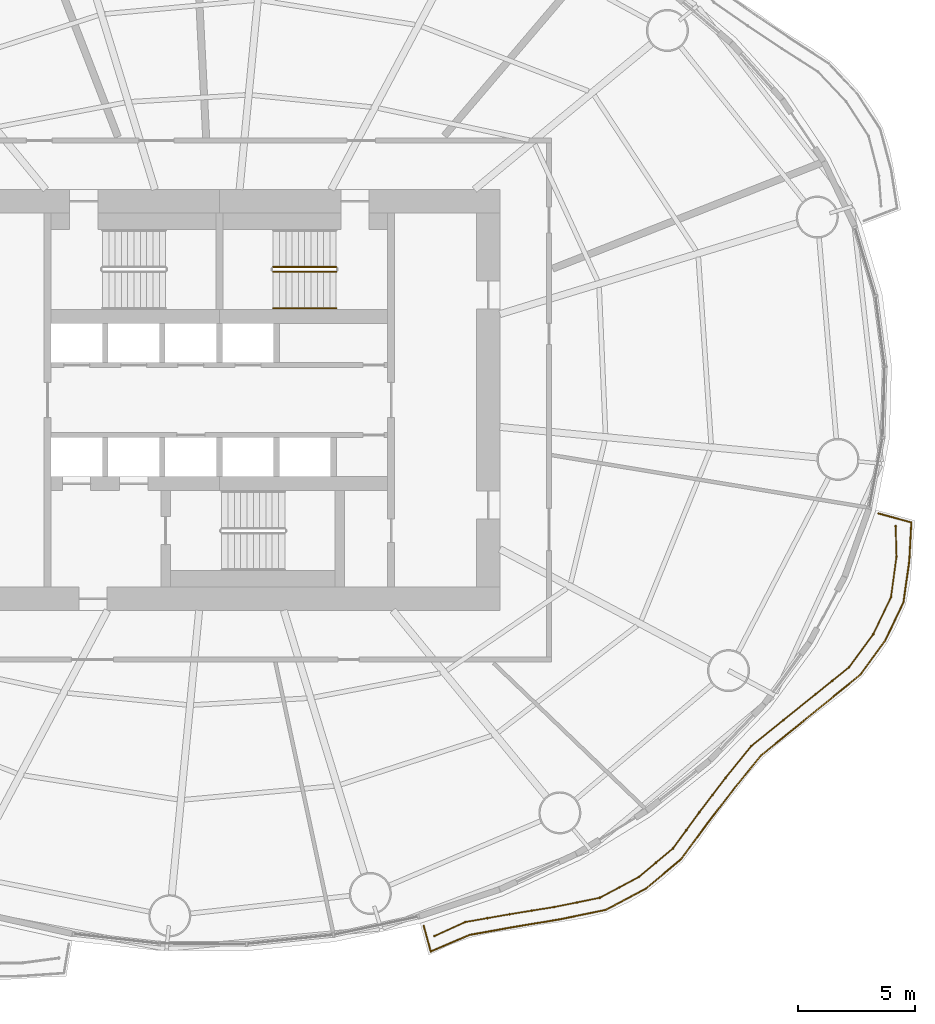
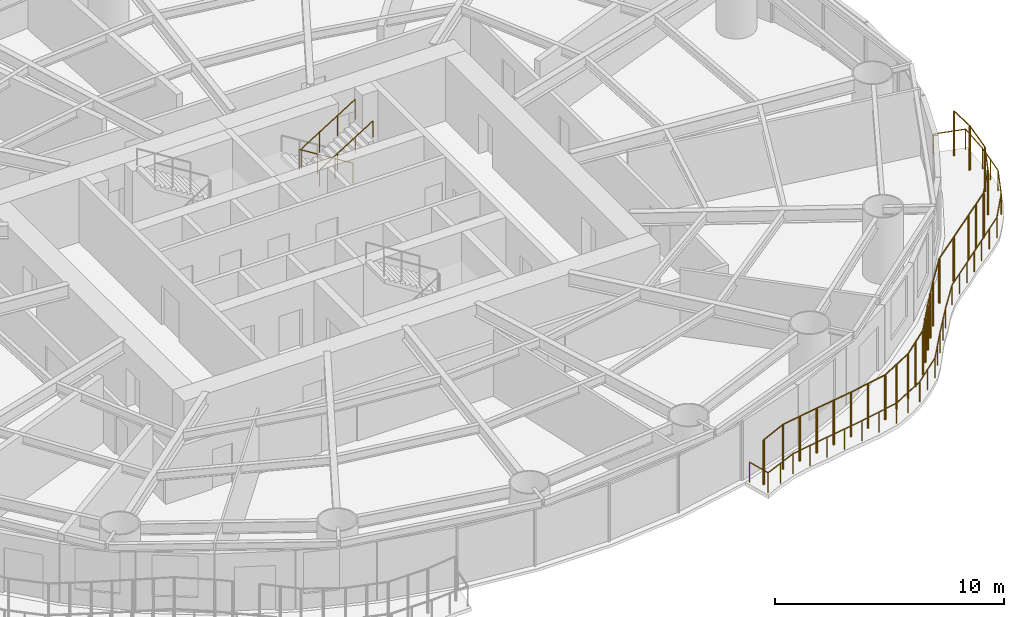
# One storey, part 14 of 16: 5 railings.
"""IFC4 building model written with IfcOpenShell, lengths in metres."""

from ifc_helpers import new_model, si_unit, direction, frame, origin, origin_2d, place, context, subcontext, project, spatial, circle, extrude, material, type_object, element, save


model = new_model("IFC4")

# Units and contexts
model_context = context("Model", 3, precision=1e-05, world=origin(), true_north=direction((0.0, 1.0)))
body_context = subcontext(model_context, "Body", "Model", "MODEL_VIEW")
ifc_project = project(units=[si_unit("LENGTHUNIT", "METRE"), si_unit("AREAUNIT", "SQUARE_METRE"), si_unit("VOLUMEUNIT", "CUBIC_METRE"), si_unit("PLANEANGLEUNIT", "RADIAN"), si_unit("MASSUNIT", "GRAM", prefix="KILO")], contexts=[model_context])

# Site, building, storey
site_placement = place(None, origin())
site = spatial("IfcSite", under=ifc_project, at=site_placement, CompositionType="ELEMENT")
building_placement = place(site_placement, origin())
building = spatial("IfcBuilding", under=site, at=building_placement, Name="Vermilion Reach Broadcast Tower", CompositionType="ELEMENT")
storey_placement = place(building_placement, frame((0.0, 0.0, 47.10009765625)))
storey = spatial("IfcBuildingStorey", under=building, at=storey_placement, Name="L08", CompositionType="ELEMENT", Elevation=47.10009765625)

# Railings
ifc_material_1 = material(Name="Terracotta baguette", Category="masonry")
railing_type_1 = type_object("IfcRailingType", Name="BAGUETTE SCREEN", PredefinedType="USERDEFINED", material=ifc_material_1)
railing_1_placement = place(storey_placement, frame((3.20166015625, -22.928466796875, 0.0)))
element("IfcRailing", 1, at=railing_1_placement, inside=storey, type_object=railing_type_1, Name="Baguette screen L08 group 4", ObjectType="BAGUETTE SCREEN", PredefinedType="USERDEFINED", context=body_context, shape_type="SweptSolid", body=[
    extrude(circle(Radius=0.030029296875, at=origin_2d()), frame((0.0, 0.0, 2.369873046875), z_axis=(0.910810646319, 0.412824377372, 0.0), x_axis=(-0.412824377372, 0.910810646319, 0.0)), (0.0, 0.0, 1.0), 1.44775390625),
    extrude(circle(Radius=0.030029296875, at=origin_2d()), frame((1.318603515625, 0.59765625, 2.369873046875), z_axis=(0.984759213247, 0.173923235725, 0.0), x_axis=(-0.173923235725, 0.984759213247, 0.0)), (0.0, 0.0, 1.0), 1.9189453125),
    extrude(circle(Radius=0.030029296875, at=origin_2d()), frame((3.208251953125, 0.931396484375, 2.369873046875), z_axis=(0.987204106288, 0.159461758825, 0.0), x_axis=(-0.159461758825, 0.987204106288, 0.0)), (0.0, 0.0, 1.0), 1.94140625),
    extrude(circle(Radius=0.030029296875, at=origin_2d()), frame((5.124755859375, 1.240966796875, 2.369873046875), z_axis=(0.980128191184, 0.198365140201, 0.0), x_axis=(-0.198365140201, 0.980128191184, 0.0)), (0.0, 0.0, 1.0), 1.982666015625),
    extrude(circle(Radius=0.030029296875, at=origin_2d()), frame((7.068115234375, 1.63427734375, 2.369873046875), z_axis=(0.882751928527, 0.469839369021, 0.0), x_axis=(-0.469839369021, 0.882751928527, 0.0)), (0.0, 0.0, 1.0), 1.8955078125),
    extrude(circle(Radius=0.030029296875, at=origin_2d()), frame((8.741455078125, 2.52490234375, 2.369873046875), z_axis=(0.766455763821, 0.642297098005, 0.0), x_axis=(-0.642297098005, 0.766455763821, 0.0)), (0.0, 0.0, 1.0), 1.907470703125),
    extrude(circle(Radius=0.030029296875, at=origin_2d()), frame((10.203369140625, 3.75, 2.369873046875), z_axis=(0.589165214753, 0.808012592553, 0.0), x_axis=(-0.808012592553, 0.589165214753, 0.0)), (0.0, 0.0, 1.0), 1.913330078125),
    extrude(circle(Radius=0.030029296875, at=origin_2d()), frame((11.33056640625, 5.2958984375, 2.369873046875), z_axis=(0.605385181842, 0.795932648913, 0.0), x_axis=(-0.795932648913, 0.605385181842, 0.0)), (0.0, 0.0, 1.0), 1.844970703125),
    extrude(circle(Radius=0.030029296875, at=origin_2d()), frame((12.447509765625, 6.764404296875, 2.369873046875), z_axis=(0.629442781825, 0.777046835402, 0.0), x_axis=(-0.777046835402, 0.629442781825, 0.0)), (0.0, 0.0, 1.0), 1.751708984375),
    extrude(circle(Radius=0.030029296875, at=origin_2d()), frame((13.550048828125, 8.12548828125, 2.369873046875), z_axis=(0.777985398243, 0.628282357002, 0.0), x_axis=(-0.628282357002, 0.777985398243, 0.0)), (0.0, 0.0, 1.0), 1.7646484375),
    extrude(circle(Radius=0.030029296875, at=origin_2d()), frame((14.9228515625, 9.234130859375, 2.369873046875), z_axis=(0.779194378401, 0.626782355103, 0.0), x_axis=(-0.626782355103, 0.779194378401, 0.0)), (0.0, 0.0, 1.0), 1.766845703125),
    extrude(circle(Radius=0.030029296875, at=origin_2d()), frame((16.299560546875, 10.341552734375, 2.369873046875), z_axis=(0.779116125377, 0.626879624152, 0.0), x_axis=(-0.626879624152, 0.779116125377, 0.0)), (0.0, 0.0, 1.0), 1.837890625),
    extrude(circle(Radius=0.030029296875, at=origin_2d()), frame((17.7314453125, 11.49365234375, 2.369873046875), z_axis=(0.590983272289, 0.806683811586, 0.0), x_axis=(-0.806683811586, 0.590983272289, 0.0)), (0.0, 0.0, 1.0), 1.753173828125),
    extrude(circle(Radius=0.030029296875, at=origin_2d()), frame((18.767578125, 12.907958984375, 2.369873046875), z_axis=(0.432247379927, 0.901755067935, 0.0), x_axis=(-0.901755067935, 0.432247379927, 0.0)), (0.0, 0.0, 1.0), 1.756103515625),
    extrude(circle(Radius=0.030029296875, at=origin_2d()), frame((19.526611328125, 14.491455078125, 2.369873046875), z_axis=(0.134536977448, 0.990908573835, 0.0), x_axis=(-0.990908573835, 0.134536977448, 0.0)), (0.0, 0.0, 1.0), 1.75830078125),
    extrude(circle(Radius=0.030029296875, at=origin_2d()), frame((19.76318359375, 16.23388671875, 2.369873046875), z_axis=(-0.028554410906, 0.999592239675, 0.0), x_axis=(-0.999592239675, -0.028554410906, 0.0)), (0.0, 0.0, 1.0), 1.299560546875),
    extrude(circle(Radius=0.050048828125, at=origin_2d()), origin(), (0.0, 0.0, 1.0), 2.33984375),
    extrude(circle(Radius=0.050048828125, at=origin_2d()), frame((1.318603515625, 0.59765625, 0.0)), (0.0, 0.0, 1.0), 2.33984375),
    extrude(circle(Radius=0.050048828125, at=origin_2d()), frame((2.263427734375, 0.7646484375, 0.0)), (0.0, 0.0, 1.0), 2.33984375),
    extrude(circle(Radius=0.050048828125, at=origin_2d()), frame((3.208251953125, 0.931396484375, 0.0)), (0.0, 0.0, 1.0), 2.33984375),
    extrude(circle(Radius=0.050048828125, at=origin_2d()), frame((4.16650390625, 1.086181640625, 0.0)), (0.0, 0.0, 1.0), 2.33984375),
    extrude(circle(Radius=0.050048828125, at=origin_2d()), frame((5.124755859375, 1.240966796875, 0.0)), (0.0, 0.0, 1.0), 2.33984375),
    extrude(circle(Radius=0.050048828125, at=origin_2d()), frame((6.096435546875, 1.4375, 0.0)), (0.0, 0.0, 1.0), 2.33984375),
    extrude(circle(Radius=0.050048828125, at=origin_2d()), frame((7.068115234375, 1.63427734375, 0.0)), (0.0, 0.0, 1.0), 2.33984375),
    extrude(circle(Radius=0.050048828125, at=origin_2d()), frame((7.90478515625, 2.07958984375, 0.0)), (0.0, 0.0, 1.0), 2.33984375),
    extrude(circle(Radius=0.050048828125, at=origin_2d()), frame((8.741455078125, 2.52490234375, 0.0)), (0.0, 0.0, 1.0), 2.33984375),
    extrude(circle(Radius=0.050048828125, at=origin_2d()), frame((9.472412109375, 3.137451171875, 0.0)), (0.0, 0.0, 1.0), 2.33984375),
    extrude(circle(Radius=0.050048828125, at=origin_2d()), frame((10.203369140625, 3.75, 0.0)), (0.0, 0.0, 1.0), 2.33984375),
    extrude(circle(Radius=0.050048828125, at=origin_2d()), frame((10.76708984375, 4.52294921875, 0.0)), (0.0, 0.0, 1.0), 2.33984375),
    extrude(circle(Radius=0.050048828125, at=origin_2d()), frame((11.33056640625, 5.2958984375, 0.0)), (0.0, 0.0, 1.0), 2.33984375),
    extrude(circle(Radius=0.050048828125, at=origin_2d()), frame((11.88916015625, 6.0302734375, 0.0)), (0.0, 0.0, 1.0), 2.33984375),
    extrude(circle(Radius=0.050048828125, at=origin_2d()), frame((12.447509765625, 6.764404296875, 0.0)), (0.0, 0.0, 1.0), 2.33984375),
    extrude(circle(Radius=0.050048828125, at=origin_2d()), frame((13.550048828125, 8.12548828125, 0.0)), (0.0, 0.0, 1.0), 2.33984375),
    extrude(circle(Radius=0.050048828125, at=origin_2d()), frame((14.9228515625, 9.234130859375, 0.0)), (0.0, 0.0, 1.0), 2.33984375),
    extrude(circle(Radius=0.050048828125, at=origin_2d()), frame((16.299560546875, 10.341552734375, 0.0)), (0.0, 0.0, 1.0), 2.33984375),
    extrude(circle(Radius=0.050048828125, at=origin_2d()), frame((17.015625, 10.91748046875, 0.0)), (0.0, 0.0, 1.0), 2.33984375),
    extrude(circle(Radius=0.050048828125, at=origin_2d()), frame((17.7314453125, 11.49365234375, 0.0)), (0.0, 0.0, 1.0), 2.33984375),
    extrude(circle(Radius=0.050048828125, at=origin_2d()), frame((18.767578125, 12.907958984375, 0.0)), (0.0, 0.0, 1.0), 2.33984375),
    extrude(circle(Radius=0.050048828125, at=origin_2d()), frame((19.526611328125, 14.491455078125, 0.0)), (0.0, 0.0, 1.0), 2.33984375),
    extrude(circle(Radius=0.050048828125, at=origin_2d()), frame((19.76318359375, 16.23388671875, 0.0)), (0.0, 0.0, 1.0), 2.33984375),
    extrude(circle(Radius=0.050048828125, at=origin_2d()), frame((19.72607421875, 17.532958984375, 0.0)), (0.0, 0.0, 1.0), 2.33984375),
])
ifc_material_2 = material(Name="Stainless steel 316 balustrade", Category="steel")
railing_type_2 = type_object("IfcRailingType", Name="Balcony guard 1100", PredefinedType="BALUSTRADE", material=ifc_material_2)
railing_2_placement = place(storey_placement, frame((2.74169921875, -22.495361328125, 0.0)))
element("IfcRailing", 2, at=railing_2_placement, inside=storey, type_object=railing_type_2, Name="Balcony guard L08 group 4", PredefinedType="BALUSTRADE", context=body_context, shape_type="SweptSolid", body=[
    extrude(circle(Radius=0.02490234375, at=origin_2d()), frame((0.0, 0.0, 1.0751953125), z_axis=(0.26364419253, -0.964619997587, 0.0), x_axis=(0.964619997587, 0.26364419253, 0.0)), (0.0, 0.0, 1.0), 1.13720703125),
    extrude(circle(Radius=0.02490234375, at=origin_2d()), frame((0.2998046875, -1.096923828125, 1.0751953125), z_axis=(0.919375377747, 0.393381385925, 0.0), x_axis=(-0.393381385925, 0.919375377747, 0.0)), (0.0, 0.0, 1.0), 1.807861328125),
    extrude(circle(Radius=0.02490234375, at=origin_2d()), frame((1.9619140625, -0.3857421875, 1.0751953125), z_axis=(0.984242179896, 0.176825708861, 0.0), x_axis=(-0.176825708861, 0.984242179896, 0.0)), (0.0, 0.0, 1.0), 1.950927734375),
    extrude(circle(Radius=0.02490234375, at=origin_2d()), frame((3.882080078125, -0.040771484375, 1.0751953125), z_axis=(0.986553957091, 0.163435888803, 0.0), x_axis=(-0.163435888803, 0.986553957091, 0.0)), (0.0, 0.0, 1.0), 1.973388671875),
    extrude(circle(Radius=0.02490234375, at=origin_2d()), frame((5.828857421875, 0.28173828125, 1.0751953125), z_axis=(0.979249644491, 0.202657676303, 0.0), x_axis=(-0.202657676303, 0.979249644491, 0.0)), (0.0, 0.0, 1.0), 2.015380859375),
    extrude(circle(Radius=0.02490234375, at=origin_2d()), frame((7.802490234375, 0.690185546875, 1.0751953125), z_axis=(0.882482511602, 0.470345210156, 0.0), x_axis=(-0.470345210156, 0.882482511602, 0.0)), (0.0, 0.0, 1.0), 1.929443359375),
    extrude(circle(Radius=0.02490234375, at=origin_2d()), frame((9.505126953125, 1.59765625, 1.0751953125), z_axis=(0.767778125774, 0.640715810312, 0.0), x_axis=(-0.640715810312, 0.767778125774, 0.0)), (0.0, 0.0, 1.0), 1.942626953125),
    extrude(circle(Radius=0.02490234375, at=origin_2d()), frame((10.99658203125, 2.84228515625, 1.0751953125), z_axis=(0.593541130077, 0.804803657364, 0.0), x_axis=(-0.804803657364, 0.593541130077, 0.0)), (0.0, 0.0, 1.0), 1.947265625),
    extrude(circle(Radius=0.02490234375, at=origin_2d()), frame((12.15234375, 4.409423828125, 1.0751953125), z_axis=(0.608725719683, 0.793380739744, 0.0), x_axis=(-0.793380739744, 0.608725719683, 0.0)), (0.0, 0.0, 1.0), 1.88134765625),
    extrude(circle(Radius=0.02490234375, at=origin_2d()), frame((13.297607421875, 5.902099609375, 1.0751953125), z_axis=(0.631347775633, 0.775499829918, 0.0), x_axis=(-0.775499829918, 0.631347775633, 0.0)), (0.0, 0.0, 1.0), 1.78857421875),
    extrude(circle(Radius=0.02490234375, at=origin_2d()), frame((14.4267578125, 7.2890625, 1.0751953125), z_axis=(0.775877902131, 0.630883096132, 0.0), x_axis=(-0.630883096132, 0.775877902131, 0.0)), (0.0, 0.0, 1.0), 1.80322265625),
    extrude(circle(Radius=0.02490234375, at=origin_2d()), frame((15.825927734375, 8.4267578125, 1.0751953125), z_axis=(0.776056078648, 0.630663906367, 0.0), x_axis=(-0.630663906367, 0.776056078648, 0.0)), (0.0, 0.0, 1.0), 1.80517578125),
    extrude(circle(Radius=0.02490234375, at=origin_2d()), frame((17.226806640625, 9.565185546875, 1.0751953125), z_axis=(0.775126470013, 0.631806105926, 0.0), x_axis=(-0.631806105926, 0.775126470013, 0.0)), (0.0, 0.0, 1.0), 1.877197265625),
    extrude(circle(Radius=0.02490234375, at=origin_2d()), frame((18.681884765625, 10.751220703125, 1.0751953125), z_axis=(0.589037045445, 0.808106032086, 0.0), x_axis=(-0.808106032086, 0.589037045445, 0.0)), (0.0, 0.0, 1.0), 1.794189453125),
    extrude(circle(Radius=0.02490234375, at=origin_2d()), frame((19.73876953125, 12.201171875, 1.0751953125), z_axis=(0.432444314365, 0.90166064291, 0.0), x_axis=(-0.90166064291, 0.432444314365, 0.0)), (0.0, 0.0, 1.0), 1.79931640625),
    extrude(circle(Radius=0.02490234375, at=origin_2d()), frame((20.516845703125, 13.823486328125, 1.0751953125), z_axis=(0.140358079177, 0.990100807802, 0.0), x_axis=(-0.990100807802, 0.140358079177, 0.0)), (0.0, 0.0, 1.0), 1.80029296875),
    extrude(circle(Radius=0.02490234375, at=origin_2d()), frame((20.76953125, 15.60595703125, 1.0751953125), z_axis=(0.052512380684, 0.998620273114, 0.0), x_axis=(-0.998620273114, 0.052512380684, 0.0)), (0.0, 0.0, 1.0), 1.655029296875),
    extrude(circle(Radius=0.02490234375, at=origin_2d()), frame((20.8564453125, 17.2587890625, 1.0751953125), z_axis=(-0.965064353591, 0.262012964238, 0.0), x_axis=(-0.262012964238, -0.965064353591, 0.0)), (0.0, 0.0, 1.0), 1.459228515625),
    extrude(circle(Radius=0.02490234375, at=origin_2d()), origin(), (0.0, 0.0, 1.0), 1.050048828125),
    extrude(circle(Radius=0.02490234375, at=origin_2d()), frame((0.2998046875, -1.096923828125, 0.0)), (0.0, 0.0, 1.0), 1.050048828125),
    extrude(circle(Radius=0.02490234375, at=origin_2d()), frame((1.130859375, -0.7412109375, 0.0)), (0.0, 0.0, 1.0), 1.050048828125),
    extrude(circle(Radius=0.02490234375, at=origin_2d()), frame((1.9619140625, -0.3857421875, 0.0)), (0.0, 0.0, 1.0), 1.050048828125),
    extrude(circle(Radius=0.02490234375, at=origin_2d()), frame((2.921875, -0.21337890625, 0.0)), (0.0, 0.0, 1.0), 1.050048828125),
    extrude(circle(Radius=0.02490234375, at=origin_2d()), frame((3.882080078125, -0.040771484375, 0.0)), (0.0, 0.0, 1.0), 1.050048828125),
    extrude(circle(Radius=0.02490234375, at=origin_2d()), frame((4.85546875, 0.12060546875, 0.0)), (0.0, 0.0, 1.0), 1.050048828125),
    extrude(circle(Radius=0.02490234375, at=origin_2d()), frame((5.828857421875, 0.28173828125, 0.0)), (0.0, 0.0, 1.0), 1.050048828125),
    extrude(circle(Radius=0.02490234375, at=origin_2d()), frame((6.815673828125, 0.48583984375, 0.0)), (0.0, 0.0, 1.0), 1.050048828125),
    extrude(circle(Radius=0.02490234375, at=origin_2d()), frame((7.802490234375, 0.690185546875, 0.0)), (0.0, 0.0, 1.0), 1.050048828125),
    extrude(circle(Radius=0.02490234375, at=origin_2d()), frame((8.65380859375, 1.14404296875, 0.0)), (0.0, 0.0, 1.0), 1.050048828125),
    extrude(circle(Radius=0.02490234375, at=origin_2d()), frame((9.505126953125, 1.59765625, 0.0)), (0.0, 0.0, 1.0), 1.050048828125),
    extrude(circle(Radius=0.02490234375, at=origin_2d()), frame((10.2509765625, 2.219970703125, 0.0)), (0.0, 0.0, 1.0), 1.050048828125),
    extrude(circle(Radius=0.02490234375, at=origin_2d()), frame((10.99658203125, 2.84228515625, 0.0)), (0.0, 0.0, 1.0), 1.050048828125),
    extrude(circle(Radius=0.02490234375, at=origin_2d()), frame((11.574462890625, 3.6259765625, 0.0)), (0.0, 0.0, 1.0), 1.050048828125),
    extrude(circle(Radius=0.02490234375, at=origin_2d()), frame((12.15234375, 4.409423828125, 0.0)), (0.0, 0.0, 1.0), 1.050048828125),
    extrude(circle(Radius=0.02490234375, at=origin_2d()), frame((12.72509765625, 5.15576171875, 0.0)), (0.0, 0.0, 1.0), 1.050048828125),
    extrude(circle(Radius=0.02490234375, at=origin_2d()), frame((13.297607421875, 5.902099609375, 0.0)), (0.0, 0.0, 1.0), 1.050048828125),
    extrude(circle(Radius=0.02490234375, at=origin_2d()), frame((14.4267578125, 7.2890625, 0.0)), (0.0, 0.0, 1.0), 1.050048828125),
    extrude(circle(Radius=0.02490234375, at=origin_2d()), frame((15.12646484375, 7.85791015625, 0.0)), (0.0, 0.0, 1.0), 1.050048828125),
    extrude(circle(Radius=0.02490234375, at=origin_2d()), frame((15.825927734375, 8.4267578125, 0.0)), (0.0, 0.0, 1.0), 1.050048828125),
    extrude(circle(Radius=0.02490234375, at=origin_2d()), frame((16.5263671875, 8.99609375, 0.0)), (0.0, 0.0, 1.0), 1.050048828125),
    extrude(circle(Radius=0.02490234375, at=origin_2d()), frame((17.226806640625, 9.565185546875, 0.0)), (0.0, 0.0, 1.0), 1.050048828125),
    extrude(circle(Radius=0.02490234375, at=origin_2d()), frame((17.954345703125, 10.158203125, 0.0)), (0.0, 0.0, 1.0), 1.050048828125),
    extrude(circle(Radius=0.02490234375, at=origin_2d()), frame((18.681884765625, 10.751220703125, 0.0)), (0.0, 0.0, 1.0), 1.050048828125),
    extrude(circle(Radius=0.02490234375, at=origin_2d()), frame((19.73876953125, 12.201171875, 0.0)), (0.0, 0.0, 1.0), 1.050048828125),
    extrude(circle(Radius=0.02490234375, at=origin_2d()), frame((20.516845703125, 13.823486328125, 0.0)), (0.0, 0.0, 1.0), 1.050048828125),
    extrude(circle(Radius=0.02490234375, at=origin_2d()), frame((20.64306640625, 14.71484375, 0.0)), (0.0, 0.0, 1.0), 1.050048828125),
    extrude(circle(Radius=0.02490234375, at=origin_2d()), frame((20.76953125, 15.60595703125, 0.0)), (0.0, 0.0, 1.0), 1.050048828125),
    extrude(circle(Radius=0.02490234375, at=origin_2d()), frame((20.8564453125, 17.2587890625, 0.0)), (0.0, 0.0, 1.0), 1.050048828125),
    extrude(circle(Radius=0.02490234375, at=origin_2d()), frame((19.4482421875, 17.64111328125, 0.0)), (0.0, 0.0, 1.0), 1.050048828125),
])
ifc_material_3 = material(Name="Stainless steel", Category="steel")
railing_type_3 = type_object("IfcRailingType", Name="Stair guard 1100", PredefinedType="GUARDRAIL", material=ifc_material_3)
railing_3_placement = place(storey_placement, frame((-1.0, 5.68994140625, 0.16796875)))
element("IfcRailing", 3, at=railing_3_placement, inside=storey, type_object=railing_type_3, Name="L08 ST2 stair guard 1", PredefinedType="GUARDRAIL", context=body_context, shape_type="SweptSolid", body=[
    extrude(circle(Radius=0.02392578125, at=origin_2d()), frame((0.0, 0.0, 1.076171875), z_axis=(-0.848786430784, 0.0, 0.528735846068), x_axis=(0.0, -1.0, 0.0)), (0.0, 0.0, 1.0), 3.180908203125),
    extrude(circle(Radius=0.02099609375, at=origin_2d()), origin(), (0.0, 0.0, 1.0), 1.052001953125),
    extrude(circle(Radius=0.02099609375, at=origin_2d()), frame((-0.89990234375, 0.0, 0.560546875)), (0.0, 0.0, 1.0), 1.052001953125),
    extrude(circle(Radius=0.02099609375, at=origin_2d()), frame((-1.800048828125, 0.0, 1.121337890625)), (0.0, 0.0, 1.0), 1.052001953125),
    extrude(circle(Radius=0.02099609375, at=origin_2d()), frame((-2.699951171875, 0.0, 1.681884765625)), (0.0, 0.0, 1.0), 1.052001953125),
])
railing_4_placement = place(storey_placement, frame((-3.699951171875, 5.489990234375, 2.01806640625)))
element("IfcRailing", 4, at=railing_4_placement, inside=storey, type_object=railing_type_3, Name="L08 ST2 stair guard 3", PredefinedType="GUARDRAIL", context=body_context, shape_type="SweptSolid", body=[
    extrude(circle(Radius=0.02392578125, at=origin_2d()), frame((0.0, 0.0, 1.076171875), z_axis=(0.848786430784, 0.0, 0.528735846068), x_axis=(0.0, 1.0, 0.0)), (0.0, 0.0, 1.0), 3.180908203125),
    extrude(circle(Radius=0.02099609375, at=origin_2d()), origin(), (0.0, 0.0, 1.0), 1.052001953125),
    extrude(circle(Radius=0.02099609375, at=origin_2d()), frame((0.89990234375, 0.0, 0.560546875)), (0.0, 0.0, 1.0), 1.052001953125),
    extrude(circle(Radius=0.02099609375, at=origin_2d()), frame((1.800048828125, 0.0, 1.121337890625)), (0.0, 0.0, 1.0), 1.052001953125),
    extrude(circle(Radius=0.02099609375, at=origin_2d()), frame((2.699951171875, 0.0, 1.681884765625)), (0.0, 0.0, 1.0), 1.052001953125),
])
ifc_material_4 = material(Name="Stainless steel", Category="steel")
railing_type_4 = type_object("IfcRailingType", Name="Stair handrail", PredefinedType="HANDRAIL", material=ifc_material_4)
railing_5_placement = place(storey_placement, frame((-3.699951171875, 3.929931640625, 2.01806640625)))
element("IfcRailing", 5, at=railing_5_placement, inside=storey, type_object=railing_type_4, Name="L08 ST2 stair handrail 2", PredefinedType="HANDRAIL", context=body_context, shape_type="SweptSolid", body=[
    extrude(circle(Radius=0.02392578125, at=origin_2d()), frame((0.0, 0.0, 0.8759765625), z_axis=(0.848786430784, 0.0, 0.528735846068), x_axis=(0.0, 1.0, 0.0)), (0.0, 0.0, 1.0), 3.180908203125),
    extrude(circle(Radius=0.02099609375, at=origin_2d()), origin(), (0.0, 0.0, 1.0), 0.851806640625),
    extrude(circle(Radius=0.02099609375, at=origin_2d()), frame((0.89990234375, 0.0, 0.560546875)), (0.0, 0.0, 1.0), 0.851806640625),
    extrude(circle(Radius=0.02099609375, at=origin_2d()), frame((1.800048828125, 0.0, 1.121337890625)), (0.0, 0.0, 1.0), 0.851806640625),
    extrude(circle(Radius=0.02099609375, at=origin_2d()), frame((2.699951171875, 0.0, 1.681884765625)), (0.0, 0.0, 1.0), 0.851806640625),
])

save(model, "model.ifc")
